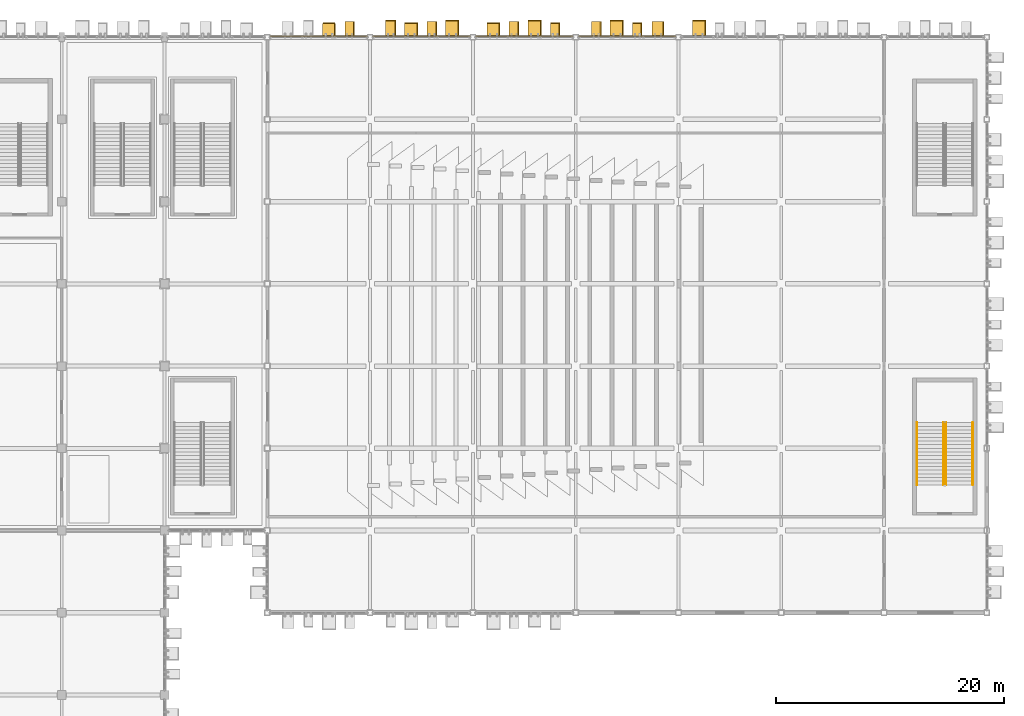
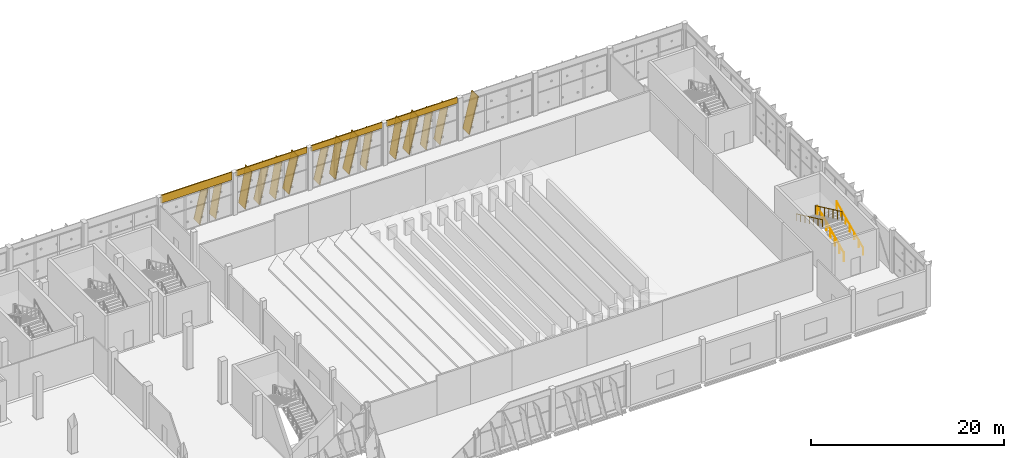
# One storey, part 187 of 189: 19 coverings, 15 shading devices, 4 railings.
"""IFC4 building model written with IfcOpenShell, lengths in metres."""

import ifcopenshell
import ifcopenshell.guid

model = None  # the IFC model being written
_history = None  # IfcOwnerHistory: only IFC2X3 demands one
_inside = {}  # id of a spatial element -> (the spatial element, [elements in it])
_under = {}  # id of a project, library or spatial element -> (it, [spatial elements below it])
_declared = {}  # id of a project -> (the project, [libraries it declares])
_typed = {}  # id of a type object -> (the type object, [elements of that type])
_made_of = {}  # id of a material, layer set ... -> (it, [elements and type objects made of it])


def new_model(schema):
    """Start an empty IFC model of exactly this schema.

    Asked for "IFC4X3", IfcOpenShell would pick the latest addendum, in which some entities
    have other attributes; the version numbers below select the first issue.
    IFC2X3 requires an IfcOwnerHistory on every rooted entity: one is made here for all.
    """
    global model, _history
    if schema == "IFC4X3":
        model = ifcopenshell.file(schema_version=(4, 3, 0, 0))
    else:
        model = ifcopenshell.file(schema=schema)
    _inside.clear()
    _under.clear()
    _declared.clear()
    _typed.clear()
    _made_of.clear()
    _history = None
    if model.schema == "IFC2X3":
        org = make("IfcOrganization", Name="unknown")
        user = make(
            "IfcPersonAndOrganization",
            ThePerson=make("IfcPerson", FamilyName="unknown"),
            TheOrganization=org,
        )
        app = make(
            "IfcApplication",
            ApplicationDeveloper=org,
            Version="unknown",
            ApplicationFullName="unknown",
            ApplicationIdentifier="unknown",
        )
        _history = make(
            "IfcOwnerHistory",
            OwningUser=user,
            OwningApplication=app,
            ChangeAction="ADDED",
            CreationDate=0,
        )
    return model


def make(cls, **values):
    """One entity of the class cls with the attributes given. An attribute that is None is left unset."""
    return model.create_entity(
        cls, **{name: value for name, value in values.items() if value is not None}
    )


def rooted(cls, **values):
    """An entity with a GlobalId (a new one), such as an element, a storey or a relation."""
    return make(cls, GlobalId=ifcopenshell.guid.new(), OwnerHistory=_history, **values)


def si_unit(unit_type, name, prefix=None):
    """IfcSIUnit, for example si_unit("LENGTHUNIT", "METRE", prefix="MILLI")."""
    return make("IfcSIUnit", UnitType=unit_type, Prefix=prefix, Name=name)


def assignment(units):
    """IfcUnitAssignment: the units of a project."""
    return None if units is None else make("IfcUnitAssignment", Units=units)


def point(xyz):
    """IfcCartesianPoint."""
    return None if xyz is None else make("IfcCartesianPoint", Coordinates=xyz)


def direction(xyz):
    """IfcDirection."""
    return None if xyz is None else make("IfcDirection", DirectionRatios=xyz)


def frame(location, z_axis=None, x_axis=None):
    """IfcAxis2Placement3D, a coordinate frame: its origin and axes. An axis left out is left unset."""
    return make(
        "IfcAxis2Placement3D",
        Location=point(location),
        Axis=direction(z_axis),
        RefDirection=direction(x_axis),
    )


def frame_2d(location, x_axis=None):
    """IfcAxis2Placement2D, a coordinate frame in the plane: its origin and x axis."""
    return make(
        "IfcAxis2Placement2D", Location=point(location), RefDirection=direction(x_axis)
    )


def origin():
    """The frame at (0, 0, 0) with its axes left unset."""
    return frame((0.0, 0.0, 0.0))


def origin_2d():
    """The frame at (0, 0) in the plane with its x axis left unset."""
    return frame_2d((0.0, 0.0))


def place(relative_to, where):
    """IfcLocalPlacement: puts the frame where relative to a parent placement (None: the world)."""
    return make(
        "IfcLocalPlacement", PlacementRelTo=relative_to, RelativePlacement=where
    )


def context(
    kind, dimensions, precision=None, world=None, true_north=None, identifier=None
):
    """IfcGeometricRepresentationContext, for example the 3D "Model" context."""
    return make(
        "IfcGeometricRepresentationContext",
        ContextIdentifier=identifier,
        ContextType=kind,
        CoordinateSpaceDimension=dimensions,
        Precision=precision,
        WorldCoordinateSystem=world,
        TrueNorth=true_north,
    )


def subcontext(parent, identifier, kind, view, scale=None):
    """IfcGeometricRepresentationSubContext, for example "Body" below "Model"."""
    return make(
        "IfcGeometricRepresentationSubContext",
        ContextIdentifier=identifier,
        ContextType=kind,
        ParentContext=parent,
        TargetScale=scale,
        TargetView=view,
    )


def project(units=None, contexts=None):
    """IfcProject with its units and contexts."""
    return rooted(
        "IfcProject",
        Name="project",
        RepresentationContexts=contexts,
        UnitsInContext=assignment(units),
    )


def spatial(cls, under=None, at=None, **own):
    """A site, building, storey or space (cls), placed at a placement, below another one or the project."""
    s = rooted(cls, ObjectPlacement=at, **own)
    if under is not None:
        _under.setdefault(under.id(), (under, []))[1].append(s)
    return s


def profile(cls, at=None, kind="AREA", **sizes):
    """A parametric profile (cls). Its sizes go by their IFC names, for example OverallWidth=200.0."""
    return make(cls, ProfileType=kind, Position=at, **sizes)


def rectangle(**sizes):
    """IfcRectangleProfileDef."""
    return profile("IfcRectangleProfileDef", **sizes)


def circle(**sizes):
    """IfcCircleProfileDef."""
    return profile("IfcCircleProfileDef", **sizes)


def extrude(swept, where, along, depth):
    """IfcExtrudedAreaSolid: the profile swept, set in the frame where, extruded along a direction by depth."""
    return make(
        "IfcExtrudedAreaSolid",
        SweptArea=swept,
        Position=where,
        ExtrudedDirection=direction(along),
        Depth=depth,
    )


def shape(context_of_items, identifier, shape_type, items):
    """IfcShapeRepresentation: the items that make up one representation, for example the "Body"."""
    return make(
        "IfcShapeRepresentation",
        ContextOfItems=context_of_items,
        RepresentationIdentifier=identifier,
        RepresentationType=shape_type,
        Items=items,
    )


def material(Name=None, Category=None):
    """IfcMaterial."""
    return make("IfcMaterial", Name=Name, Category=Category)


def layer(
    of_material, thickness, ventilated=None, Name=None, Category=None, Priority=None
):
    """IfcMaterialLayer: one layer of a wall or slab, of a material (None: an air gap)."""
    return make(
        "IfcMaterialLayer",
        Material=of_material,
        LayerThickness=thickness,
        IsVentilated=ventilated,
        Name=Name,
        Category=Category,
        Priority=Priority,
    )


def layer_set(layers, Name=None):
    """IfcMaterialLayerSet."""
    return make("IfcMaterialLayerSet", MaterialLayers=layers, LayerSetName=Name)


def material_profile(
    of_material, cross_section, Name=None, Category=None, Priority=None
):
    """IfcMaterialProfile: a cross section and its material."""
    return make(
        "IfcMaterialProfile",
        Name=Name,
        Material=of_material,
        Profile=cross_section,
        Priority=Priority,
        Category=Category,
    )


def profile_set(profiles, Name=None, composite=None):
    """IfcMaterialProfileSet."""
    return make(
        "IfcMaterialProfileSet",
        Name=Name,
        MaterialProfiles=profiles,
        CompositeProfile=composite,
    )


def made_of(thing, what):
    """Note that an element or type object is made of a material, layer set ...; save() writes the relation."""
    if what is not None:
        _made_of.setdefault(what.id(), (what, []))[1].append(thing)
    return thing


def type_object(cls, material=None, **own):
    """A type object (cls), such as IfcWallType, which elements share."""
    return made_of(rooted(cls, **own), material)


def element(
    cls,
    number,
    at=None,
    inside=None,
    cuts=None,
    type_object=None,
    material=None,
    context=None,
    identifier="Body",
    shape_type=None,
    held_by="IfcProductDefinitionShape",
    body=None,
    shapes=None,
    **own,
):
    """One element of the class cls, such as IfcWall. Its Tag is "e" and its number.

    at: its placement. inside: the storey or other place that contains it. cuts: it is an
    opening in that element (IfcRelVoidsElement). A single representation is given by context,
    identifier, shape_type and body (its items); several are given by shapes. held_by: the class
    of the entity that holds the representations. save() writes the other relations.
    """
    e = rooted(cls, Tag="e%d" % number, ObjectPlacement=at, **own)
    if body is not None:
        shapes = [shape(context, identifier, shape_type, body)]
    if shapes is not None:
        e.Representation = make(held_by, Representations=shapes)
    if inside is not None:
        _inside.setdefault(inside.id(), (inside, []))[1].append(e)
    if cuts is not None:
        rooted(
            "IfcRelVoidsElement", RelatingBuildingElement=cuts, RelatedOpeningElement=e
        )
    if type_object is not None:
        _typed.setdefault(type_object.id(), (type_object, []))[1].append(e)
    return made_of(e, material)


def aggregate(whole, parts):
    """IfcRelAggregates: a whole, such as a stair, and the parts it consists of."""
    return rooted("IfcRelAggregates", RelatingObject=whole, RelatedObjects=parts)


def save(model, path):
    """Write the relations noted so far, then the file.

    IfcRelAggregates (storeys below a building ...), IfcRelContainedInSpatialStructure (elements
    in a storey), IfcRelDefinesByType, IfcRelAssociatesMaterial and IfcRelDeclares: one each for
    every whole, place, type object, material and project.
    """
    for whole, parts in _under.values():
        aggregate(whole, parts)
    for where, things in _inside.values():
        rooted(
            "IfcRelContainedInSpatialStructure",
            RelatedElements=things,
            RelatingStructure=where,
        )
    for kind, things in _typed.values():
        rooted("IfcRelDefinesByType", RelatedObjects=things, RelatingType=kind)
    for what, things in _made_of.values():
        rooted("IfcRelAssociatesMaterial", RelatedObjects=things, RelatingMaterial=what)
    for by, libraries in _declared.values():
        rooted("IfcRelDeclares", RelatingContext=by, RelatedDefinitions=libraries)
    model.write(path)


model = new_model("IFC4")

# Units and contexts
model_context = context("Model", 3, precision=1e-05, world=origin(), true_north=direction((0.0, 1.0)))
body_context = subcontext(model_context, "Body", "Model", "MODEL_VIEW")
ifc_project = project(units=[si_unit("LENGTHUNIT", "METRE"), si_unit("AREAUNIT", "SQUARE_METRE"), si_unit("VOLUMEUNIT", "CUBIC_METRE"), si_unit("PLANEANGLEUNIT", "RADIAN"), si_unit("MASSUNIT", "GRAM", prefix="KILO")], contexts=[model_context])

# Site, building, storey
site_placement = place(None, origin())
site = spatial("IfcSite", under=ifc_project, at=site_placement, CompositionType="ELEMENT")
building_placement = place(site_placement, origin())
building = spatial("IfcBuilding", under=site, at=building_placement, Name="Celestram Park Convention Centre", CompositionType="ELEMENT")
storey_placement = place(building_placement, frame((0.0, 0.0, 5.39990234375)))
storey = spatial("IfcBuildingStorey", under=building, at=storey_placement, Name="L01", CompositionType="ELEMENT", Elevation=5.39990234375)

# Coverings
ifc_material_1 = material(Name="Anodised Bronze Aluminium Spandrel Cladding", Category="aluminium")
ifc_layer_1 = layer(ifc_material_1, 0.050048828125)
ifc_layer_set_1 = layer_set([ifc_layer_1], Name="Anodised Bronze Aluminium Spandrel Cladding")
covering_type_1 = type_object("IfcCoveringType", Name="ARC-COV-CLD060", PredefinedType="CLADDING", material=ifc_layer_set_1)
covering_1_placement = place(storey_placement, frame((157.5, 165.679931640625, 4.38818359375), z_axis=(0.0, 0.0, 1.0), x_axis=(1.0, 0.0, 0.0)))
element("IfcCovering", 1, at=covering_1_placement, inside=storey, type_object=covering_type_1, Name="Bronze spandrel cladding CL-L01-068", PredefinedType="CLADDING", context=body_context, shape_type="SweptSolid", body=[
    extrude(rectangle(XDim=8.50390625, YDim=0.1201171875, at=origin_2d()), origin(), (0.0, 0.0, 1.0), 1.011962890625),
])
for number, where, z_axis, x_axis, name in (
    (2, (166.5, 165.679931640625, 4.64404296875), (0.0, 0.0, 1.0), (1.0, 0.0, 0.0), "Bronze spandrel cladding CL-L01-069"),
    (3, (175.5, 165.679931640625, 4.64404296875), (0.0, 0.0, 1.0), (1.0, 0.0, 0.0), "Bronze spandrel cladding CL-L01-070"),
    (4, (184.5, 165.679931640625, 4.64404296875), (0.0, 0.0, 1.0), (1.0, 0.0, 0.0), "Bronze spandrel cladding CL-L01-071"),
):
    element("IfcCovering", number, at=place(storey_placement, frame(where, z_axis=z_axis, x_axis=x_axis)), inside=storey, type_object=covering_type_1, Name=name, PredefinedType="CLADDING", context=body_context, shape_type="SweptSolid", body=[
        extrude(rectangle(XDim=8.50390625, YDim=0.1201171875, at=origin_2d()), origin(), (0.0, 0.0, 1.0), 0.756103515625),
    ])
ifc_material_2 = material(Name="Timber-Toned Anodised Aluminium Alloy 6063-T6", Category="wood")
ifc_material_profile_1 = material_profile(ifc_material_2, rectangle(XDim=1.1201171875, YDim=0.090087890625, at=origin_2d()), Name="REED1120X90")
ifc_profile_set_1 = profile_set([ifc_material_profile_1], Name="Timber-Toned Anodised Aluminium Alloy 6063-T6")
covering_type_2 = type_object("IfcCoveringType", Name="ARC-COV-FIN1120", PredefinedType="CLADDING", material=ifc_profile_set_1)
covering_2_placement = place(storey_placement, frame((157.89501953125, 166.239990234375, 0.064453125), z_axis=(0.231764427654, 0.0, 0.972771941451), x_axis=(0.0, 1.0, 0.0)))
element("IfcCovering", 5, at=covering_2_placement, inside=storey, type_object=covering_type_2, Name="Leaning timber-toned reed fin RFN-L01-0194", PredefinedType="CLADDING", context=body_context, shape_type="SweptSolid", body=[
    extrude(rectangle(XDim=1.1201171875, YDim=0.090087890625, at=origin_2d()), origin(), (0.0, 0.0, 1.0), 4.35791015625),
])
covering_3_placement = place(storey_placement, frame((165.0654296875, 166.239990234375, 0.06787109375), z_axis=(0.23170159766, 0.0, 0.97278690865), x_axis=(0.0, 1.0, 0.0)))
element("IfcCovering", 6, at=covering_3_placement, inside=storey, type_object=covering_type_2, Name="Leaning timber-toned reed fin RFN-L01-0197", PredefinedType="CLADDING", context=body_context, shape_type="SweptSolid", body=[
    extrude(rectangle(XDim=1.1201171875, YDim=0.090087890625, at=origin_2d()), origin(), (0.0, 0.0, 1.0), 4.614013671875),
])
covering_4_placement = place(storey_placement, frame((172.265380859375, 166.239990234375, 0.06787109375), z_axis=(0.231751668114, 0.0, 0.972774981343), x_axis=(0.0, 1.0, 0.0)))
element("IfcCovering", 7, at=covering_4_placement, inside=storey, type_object=covering_type_2, Name="Leaning timber-toned reed fin RFN-L01-0200", PredefinedType="CLADDING", context=body_context, shape_type="SweptSolid", body=[
    extrude(rectangle(XDim=1.1201171875, YDim=0.090087890625, at=origin_2d()), origin(), (0.0, 0.0, 1.0), 4.6142578125),
])
for number, where, z_axis, x_axis, name in (
    (8, (177.831298828125, 166.239990234375, 0.034912109375), (0.159857948369, 0.0, 0.987140028741), (0.0, 1.0, 0.0), "Leaning timber-toned reed fin RFN-L01-0203"),
    (9, (185.03125, 166.239990234375, 0.034912109375), (0.159857948369, 0.0, 0.987140028741), (0.0, 1.0, 0.0), "Leaning timber-toned reed fin RFN-L01-0206"),
):
    element("IfcCovering", number, at=place(storey_placement, frame(where, z_axis=z_axis, x_axis=x_axis)), inside=storey, type_object=covering_type_2, Name=name, PredefinedType="CLADDING", context=body_context, shape_type="SweptSolid", body=[
        extrude(rectangle(XDim=1.1201171875, YDim=0.090087890625, at=origin_2d()), origin(), (0.0, 0.0, 1.0), 4.61376953125),
    ])
ifc_material_profile_2 = material_profile(ifc_material_2, rectangle(XDim=1.280029296875, YDim=0.090087890625, at=origin_2d()), Name="REED1280X90")
ifc_profile_set_2 = profile_set([ifc_material_profile_2], Name="Timber-Toned Anodised Aluminium Alloy 6063-T6")
covering_type_3 = type_object("IfcCoveringType", Name="ARC-COV-FIN1280", PredefinedType="CLADDING", material=ifc_profile_set_2)
covering_5_placement = place(storey_placement, frame((159.8291015625, 166.320068359375, 0.036865234375), z_axis=(0.170192060606, 0.0, 0.985410910487), x_axis=(0.0, 1.0, 0.0)))
element("IfcCovering", 10, at=covering_5_placement, inside=storey, type_object=covering_type_3, Name="Leaning timber-toned reed fin RFN-L01-0195", PredefinedType="CLADDING", context=body_context, shape_type="SweptSolid", body=[
    extrude(rectangle(XDim=1.280029296875, YDim=0.090087890625, at=origin_2d()), origin(), (0.0, 0.0, 1.0), 4.35791015625),
])
for number, where, z_axis, x_axis, name in (
    (11, (167.00732421875, 166.320068359375, 0.038818359375), (0.170222310594, 0.0, 0.98540568548), (0.0, 1.0, 0.0), "Leaning timber-toned reed fin RFN-L01-0198"),
    (12, (174.207275390625, 166.320068359375, 0.038818359375), (0.170222310594, 0.0, 0.98540568548), (0.0, 1.0, 0.0), "Leaning timber-toned reed fin RFN-L01-0201"),
    (13, (181.4072265625, 166.320068359375, 0.038818359375), (0.170222310594, 0.0, 0.98540568548), (0.0, 1.0, 0.0), "Leaning timber-toned reed fin RFN-L01-0204"),
    (14, (186.71630859375, 166.320068359375, 0.056396484375), (0.209641107943, 0.0, 0.977778403249), (0.0, 1.0, 0.0), "Leaning timber-toned reed fin RFN-L01-0207"),
):
    element("IfcCovering", number, at=place(storey_placement, frame(where, z_axis=z_axis, x_axis=x_axis)), inside=storey, type_object=covering_type_3, Name=name, PredefinedType="CLADDING", context=body_context, shape_type="SweptSolid", body=[
        extrude(rectangle(XDim=1.280029296875, YDim=0.090087890625, at=origin_2d()), origin(), (0.0, 0.0, 1.0), 4.614013671875),
    ])
ifc_material_profile_3 = material_profile(ifc_material_2, rectangle(XDim=1.419921875, YDim=0.090087890625, at=origin_2d()), Name="REED1420X90")
ifc_profile_set_3 = profile_set([ifc_material_profile_3], Name="Timber-Toned Anodised Aluminium Alloy 6063-T6")
covering_type_4 = type_object("IfcCoveringType", Name="ARC-COV-FIN1420", PredefinedType="CLADDING", material=ifc_profile_set_3)
covering_6_placement = place(storey_placement, frame((163.383544921875, 166.389892578125, 0.04296875), z_axis=(0.180533481126, 0.0, 0.98356883958), x_axis=(0.0, 1.0, 0.0)))
element("IfcCovering", 15, at=covering_6_placement, inside=storey, type_object=covering_type_4, Name="Leaning timber-toned reed fin RFN-L01-0196", PredefinedType="CLADDING", context=body_context, shape_type="SweptSolid", body=[
    extrude(rectangle(XDim=1.419921875, YDim=0.090087890625, at=origin_2d()), origin(), (0.0, 0.0, 1.0), 4.6142578125),
])
for number, where, z_axis, x_axis, name in (
    (16, (168.649658203125, 166.389892578125, 0.07177734375), (0.238536992312, 0.0, 0.971133411689), (0.0, 1.0, 0.0), "Leaning timber-toned reed fin RFN-L01-0199"),
    (17, (175.849609375, 166.389892578125, 0.07177734375), (0.238536992312, 0.0, 0.971133411689), (0.0, 1.0, 0.0), "Leaning timber-toned reed fin RFN-L01-0202"),
    (18, (183.0498046875, 166.389892578125, 0.07177734375), (0.238536992312, 0.0, 0.971133411689), (0.0, 1.0, 0.0), "Leaning timber-toned reed fin RFN-L01-0205"),
    (19, (190.249755859375, 166.389892578125, 0.07177734375), (0.238536992312, 0.0, 0.971133411689), (0.0, 1.0, 0.0), "Leaning timber-toned reed fin RFN-L01-0208"),
):
    element("IfcCovering", number, at=place(storey_placement, frame(where, z_axis=z_axis, x_axis=x_axis)), inside=storey, type_object=covering_type_4, Name=name, PredefinedType="CLADDING", context=body_context, shape_type="SweptSolid", body=[
        extrude(rectangle(XDim=1.419921875, YDim=0.090087890625, at=origin_2d()), origin(), (0.0, 0.0, 1.0), 4.614013671875),
    ])

# Shading devices
ifc_material_3 = material(Name="Anodised Bronze Aluminium Alloy 6063-T6", Category="aluminium")
ifc_material_profile_4 = material_profile(ifc_material_3, rectangle(XDim=1.280029296875, YDim=0.080078125, at=origin_2d()), Name="FIN1280X80")
ifc_profile_set_4 = profile_set([ifc_material_profile_4], Name="Anodised Bronze Aluminium Alloy 6063-T6")
shading_device_type = type_object("IfcShadingDeviceType", Name="ARC-FIN-BZ1280", PredefinedType="USERDEFINED", material=ifc_profile_set_4)
for number, where, z_axis, x_axis, name in (
    (20, (157.89501953125, 166.239990234375, 0.064453125), (0.231764427654, 0.0, 0.972771941451), (0.0, 1.0, 0.0), "Expressive solar fin FN-L01-0194"),
    (21, (159.8291015625, 166.320068359375, 0.036865234375), (0.170192060606, 0.0, 0.985410910487), (0.0, 1.0, 0.0), "Expressive solar fin FN-L01-0195"),
):
    element("IfcShadingDevice", number, at=place(storey_placement, frame(where, z_axis=z_axis, x_axis=x_axis)), inside=storey, type_object=shading_device_type, Name=name, ObjectType="SOLAR_FIN", PredefinedType="USERDEFINED", context=body_context, shape_type="SweptSolid", body=[
        extrude(rectangle(XDim=1.280029296875, YDim=0.080078125, at=origin_2d()), origin(), (0.0, 0.0, 1.0), 4.35791015625),
    ])
shading_device_1_placement = place(storey_placement, frame((163.383544921875, 166.389892578125, 0.04296875), z_axis=(0.180533481126, 0.0, 0.98356883958), x_axis=(0.0, 1.0, 0.0)))
element("IfcShadingDevice", 22, at=shading_device_1_placement, inside=storey, type_object=shading_device_type, Name="Expressive solar fin FN-L01-0196", ObjectType="SOLAR_FIN", PredefinedType="USERDEFINED", context=body_context, shape_type="SweptSolid", body=[
    extrude(rectangle(XDim=1.280029296875, YDim=0.080078125, at=origin_2d()), origin(), (0.0, 0.0, 1.0), 4.6142578125),
])
for number, where, z_axis, x_axis, name in (
    (23, (165.0654296875, 166.239990234375, 0.06787109375), (0.23170159766, 0.0, 0.97278690865), (0.0, 1.0, 0.0), "Expressive solar fin FN-L01-0197"),
    (24, (167.00732421875, 166.320068359375, 0.038818359375), (0.170222310594, 0.0, 0.98540568548), (0.0, 1.0, 0.0), "Expressive solar fin FN-L01-0198"),
    (25, (168.649658203125, 166.389892578125, 0.07177734375), (0.238536992312, 0.0, 0.971133411689), (0.0, 1.0, 0.0), "Expressive solar fin FN-L01-0199"),
):
    element("IfcShadingDevice", number, at=place(storey_placement, frame(where, z_axis=z_axis, x_axis=x_axis)), inside=storey, type_object=shading_device_type, Name=name, ObjectType="SOLAR_FIN", PredefinedType="USERDEFINED", context=body_context, shape_type="SweptSolid", body=[
        extrude(rectangle(XDim=1.280029296875, YDim=0.080078125, at=origin_2d()), origin(), (0.0, 0.0, 1.0), 4.614013671875),
    ])
shading_device_2_placement = place(storey_placement, frame((172.265380859375, 166.239990234375, 0.06787109375), z_axis=(0.231751668114, 0.0, 0.972774981343), x_axis=(0.0, 1.0, 0.0)))
element("IfcShadingDevice", 26, at=shading_device_2_placement, inside=storey, type_object=shading_device_type, Name="Expressive solar fin FN-L01-0200", ObjectType="SOLAR_FIN", PredefinedType="USERDEFINED", context=body_context, shape_type="SweptSolid", body=[
    extrude(rectangle(XDim=1.280029296875, YDim=0.080078125, at=origin_2d()), origin(), (0.0, 0.0, 1.0), 4.6142578125),
])
for number, where, z_axis, x_axis, name in (
    (27, (174.207275390625, 166.320068359375, 0.038818359375), (0.170222310594, 0.0, 0.98540568548), (0.0, 1.0, 0.0), "Expressive solar fin FN-L01-0201"),
    (28, (175.849609375, 166.389892578125, 0.07177734375), (0.238536992312, 0.0, 0.971133411689), (0.0, 1.0, 0.0), "Expressive solar fin FN-L01-0202"),
):
    element("IfcShadingDevice", number, at=place(storey_placement, frame(where, z_axis=z_axis, x_axis=x_axis)), inside=storey, type_object=shading_device_type, Name=name, ObjectType="SOLAR_FIN", PredefinedType="USERDEFINED", context=body_context, shape_type="SweptSolid", body=[
        extrude(rectangle(XDim=1.280029296875, YDim=0.080078125, at=origin_2d()), origin(), (0.0, 0.0, 1.0), 4.614013671875),
    ])
shading_device_3_placement = place(storey_placement, frame((177.831298828125, 166.239990234375, 0.034912109375), z_axis=(0.159857948369, 0.0, 0.987140028741), x_axis=(0.0, 1.0, 0.0)))
element("IfcShadingDevice", 29, at=shading_device_3_placement, inside=storey, type_object=shading_device_type, Name="Expressive solar fin FN-L01-0203", ObjectType="SOLAR_FIN", PredefinedType="USERDEFINED", context=body_context, shape_type="SweptSolid", body=[
    extrude(rectangle(XDim=1.280029296875, YDim=0.080078125, at=origin_2d()), origin(), (0.0, 0.0, 1.0), 4.61376953125),
])
for number, where, z_axis, x_axis, name in (
    (30, (181.4072265625, 166.320068359375, 0.038818359375), (0.170222310594, 0.0, 0.98540568548), (0.0, 1.0, 0.0), "Expressive solar fin FN-L01-0204"),
    (31, (183.0498046875, 166.389892578125, 0.07177734375), (0.238536992312, 0.0, 0.971133411689), (0.0, 1.0, 0.0), "Expressive solar fin FN-L01-0205"),
):
    element("IfcShadingDevice", number, at=place(storey_placement, frame(where, z_axis=z_axis, x_axis=x_axis)), inside=storey, type_object=shading_device_type, Name=name, ObjectType="SOLAR_FIN", PredefinedType="USERDEFINED", context=body_context, shape_type="SweptSolid", body=[
        extrude(rectangle(XDim=1.280029296875, YDim=0.080078125, at=origin_2d()), origin(), (0.0, 0.0, 1.0), 4.614013671875),
    ])
shading_device_4_placement = place(storey_placement, frame((185.03125, 166.239990234375, 0.034912109375), z_axis=(0.159857948369, 0.0, 0.987140028741), x_axis=(0.0, 1.0, 0.0)))
element("IfcShadingDevice", 32, at=shading_device_4_placement, inside=storey, type_object=shading_device_type, Name="Expressive solar fin FN-L01-0206", ObjectType="SOLAR_FIN", PredefinedType="USERDEFINED", context=body_context, shape_type="SweptSolid", body=[
    extrude(rectangle(XDim=1.280029296875, YDim=0.080078125, at=origin_2d()), origin(), (0.0, 0.0, 1.0), 4.61376953125),
])
for number, where, z_axis, x_axis, name in (
    (33, (186.71630859375, 166.320068359375, 0.056396484375), (0.209641107943, 0.0, 0.977778403249), (0.0, 1.0, 0.0), "Expressive solar fin FN-L01-0207"),
    (34, (190.249755859375, 166.389892578125, 0.07177734375), (0.238536992312, 0.0, 0.971133411689), (0.0, 1.0, 0.0), "Expressive solar fin FN-L01-0208"),
):
    element("IfcShadingDevice", number, at=place(storey_placement, frame(where, z_axis=z_axis, x_axis=x_axis)), inside=storey, type_object=shading_device_type, Name=name, ObjectType="SOLAR_FIN", PredefinedType="USERDEFINED", context=body_context, shape_type="SweptSolid", body=[
        extrude(rectangle(XDim=1.280029296875, YDim=0.080078125, at=origin_2d()), origin(), (0.0, 0.0, 1.0), 4.614013671875),
    ])

# Railings
ifc_material_4 = material(Name="Stainless Steel AISI 316L & Laminated Glass", Category="steel")
ifc_layer_2 = layer(ifc_material_4, 0.06005859375)
ifc_layer_set_2 = layer_set([ifc_layer_2], Name="Stainless Steel AISI 316L & Laminated Glass")
railing_type_1 = type_object("IfcRailingType", Name="ARC-RL-GRD1120", PredefinedType="GUARDRAIL", material=ifc_layer_set_2)
railing_1_placement = place(storey_placement, frame((212.43603515625, 126.39990234375, 0.150146484375)))
element("IfcRailing", 35, at=railing_1_placement, inside=storey, type_object=railing_type_1, Name="L01 ST-08 stair guard 1", PredefinedType="GUARDRAIL", context=body_context, shape_type="SweptSolid", body=[
    extrude(circle(Radius=0.02392578125, at=origin_2d()), frame((0.0, 0.0, 1.09619140625), z_axis=(0.0, 0.905461375974, 0.424428670827), x_axis=(-1.0, 0.0, 0.0)), (0.0, 0.0, 1.0), 6.00830078125),
    extrude(circle(Radius=0.02099609375, at=origin_2d()), origin(), (0.0, 0.0, 1.0), 1.072021484375),
    extrude(circle(Radius=0.02099609375, at=origin_2d()), frame((0.0, 0.90673828125, 0.425048828125)), (0.0, 0.0, 1.0), 1.072021484375),
    extrude(circle(Radius=0.02099609375, at=origin_2d()), frame((0.0, 1.8134765625, 0.85009765625)), (0.0, 0.0, 1.0), 1.072021484375),
    extrude(circle(Radius=0.02099609375, at=origin_2d()), frame((0.0, 2.72021484375, 1.27490234375)), (0.0, 0.0, 1.0), 1.072021484375),
    extrude(circle(Radius=0.02099609375, at=origin_2d()), frame((0.0, 3.626708984375, 1.699951171875)), (0.0, 0.0, 1.0), 1.072021484375),
    extrude(circle(Radius=0.02099609375, at=origin_2d()), frame((0.0, 4.533447265625, 2.125)), (0.0, 0.0, 1.0), 1.072021484375),
    extrude(circle(Radius=0.02099609375, at=origin_2d()), frame((0.0, 5.440185546875, 2.550048828125)), (0.0, 0.0, 1.0), 1.072021484375),
])
railing_2_placement = place(storey_placement, frame((212.2041015625, 131.840087890625, 2.85009765625)))
element("IfcRailing", 36, at=railing_2_placement, inside=storey, type_object=railing_type_1, Name="L01 ST-08 stair guard 3", PredefinedType="GUARDRAIL", context=body_context, shape_type="SweptSolid", body=[
    extrude(circle(Radius=0.02392578125, at=origin_2d()), frame((0.0, 0.0, 1.09619140625), z_axis=(0.0, -0.905461375974, 0.424428670827), x_axis=(1.0, 0.0, 0.0)), (0.0, 0.0, 1.0), 6.00830078125),
    extrude(circle(Radius=0.02099609375, at=origin_2d()), origin(), (0.0, 0.0, 1.0), 1.072021484375),
    extrude(circle(Radius=0.02099609375, at=origin_2d()), frame((0.0, -0.90673828125, 0.425048828125)), (0.0, 0.0, 1.0), 1.072021484375),
    extrude(circle(Radius=0.02099609375, at=origin_2d()), frame((0.0, -1.8134765625, 0.85009765625)), (0.0, 0.0, 1.0), 1.072021484375),
    extrude(circle(Radius=0.02099609375, at=origin_2d()), frame((0.0, -2.72021484375, 1.27490234375)), (0.0, 0.0, 1.0), 1.072021484375),
    extrude(circle(Radius=0.02099609375, at=origin_2d()), frame((0.0, -3.626708984375, 1.699951171875)), (0.0, 0.0, 1.0), 1.072021484375),
    extrude(circle(Radius=0.02099609375, at=origin_2d()), frame((0.0, -4.533447265625, 2.125)), (0.0, 0.0, 1.0), 1.072021484375),
    extrude(circle(Radius=0.02099609375, at=origin_2d()), frame((0.0, -5.440185546875, 2.550048828125)), (0.0, 0.0, 1.0), 1.072021484375),
])
ifc_material_5 = material(Name="Brushed Stainless Steel AISI 304", Category="steel")
ifc_layer_3 = layer(ifc_material_5, 0.048095703125)
ifc_layer_set_3 = layer_set([ifc_layer_3], Name="Brushed Stainless Steel AISI 304")
railing_type_2 = type_object("IfcRailingType", Name="ARC-RL-HND915", PredefinedType="HANDRAIL", material=ifc_layer_set_3)
railing_3_placement = place(storey_placement, frame((214.763916015625, 126.39990234375, 0.150146484375)))
element("IfcRailing", 37, at=railing_3_placement, inside=storey, type_object=railing_type_2, Name="L01 ST-08 stair handrail 1", PredefinedType="HANDRAIL", context=body_context, shape_type="SweptSolid", body=[
    extrude(circle(Radius=0.02392578125, at=origin_2d()), frame((0.0, 0.0, 0.8759765625), z_axis=(0.0, 0.905461375974, 0.424428670827), x_axis=(-1.0, 0.0, 0.0)), (0.0, 0.0, 1.0), 6.00830078125),
    extrude(circle(Radius=0.02099609375, at=origin_2d()), origin(), (0.0, 0.0, 1.0), 0.851806640625),
    extrude(circle(Radius=0.02099609375, at=origin_2d()), frame((0.0, 0.90673828125, 0.425048828125)), (0.0, 0.0, 1.0), 0.851806640625),
    extrude(circle(Radius=0.02099609375, at=origin_2d()), frame((0.0, 1.8134765625, 0.85009765625)), (0.0, 0.0, 1.0), 0.851806640625),
    extrude(circle(Radius=0.02099609375, at=origin_2d()), frame((0.0, 2.72021484375, 1.27490234375)), (0.0, 0.0, 1.0), 0.851806640625),
    extrude(circle(Radius=0.02099609375, at=origin_2d()), frame((0.0, 3.626708984375, 1.699951171875)), (0.0, 0.0, 1.0), 0.851806640625),
    extrude(circle(Radius=0.02099609375, at=origin_2d()), frame((0.0, 4.533447265625, 2.125)), (0.0, 0.0, 1.0), 0.851806640625),
    extrude(circle(Radius=0.02099609375, at=origin_2d()), frame((0.0, 5.440185546875, 2.550048828125)), (0.0, 0.0, 1.0), 0.851806640625),
])
railing_4_placement = place(storey_placement, frame((209.8759765625, 131.840087890625, 2.85009765625)))
element("IfcRailing", 38, at=railing_4_placement, inside=storey, type_object=railing_type_2, Name="L01 ST-08 stair handrail 2", PredefinedType="HANDRAIL", context=body_context, shape_type="SweptSolid", body=[
    extrude(circle(Radius=0.02392578125, at=origin_2d()), frame((0.0, 0.0, 0.8759765625), z_axis=(0.0, -0.905461375974, 0.424428670827), x_axis=(1.0, 0.0, 0.0)), (0.0, 0.0, 1.0), 6.00830078125),
    extrude(circle(Radius=0.02099609375, at=origin_2d()), origin(), (0.0, 0.0, 1.0), 0.851806640625),
    extrude(circle(Radius=0.02099609375, at=origin_2d()), frame((0.0, -0.90673828125, 0.425048828125)), (0.0, 0.0, 1.0), 0.851806640625),
    extrude(circle(Radius=0.02099609375, at=origin_2d()), frame((0.0, -1.8134765625, 0.85009765625)), (0.0, 0.0, 1.0), 0.851806640625),
    extrude(circle(Radius=0.02099609375, at=origin_2d()), frame((0.0, -2.72021484375, 1.27490234375)), (0.0, 0.0, 1.0), 0.851806640625),
    extrude(circle(Radius=0.02099609375, at=origin_2d()), frame((0.0, -3.626708984375, 1.699951171875)), (0.0, 0.0, 1.0), 0.851806640625),
    extrude(circle(Radius=0.02099609375, at=origin_2d()), frame((0.0, -4.533447265625, 2.125)), (0.0, 0.0, 1.0), 0.851806640625),
    extrude(circle(Radius=0.02099609375, at=origin_2d()), frame((0.0, -5.440185546875, 2.550048828125)), (0.0, 0.0, 1.0), 0.851806640625),
])

save(model, "model.ifc")
